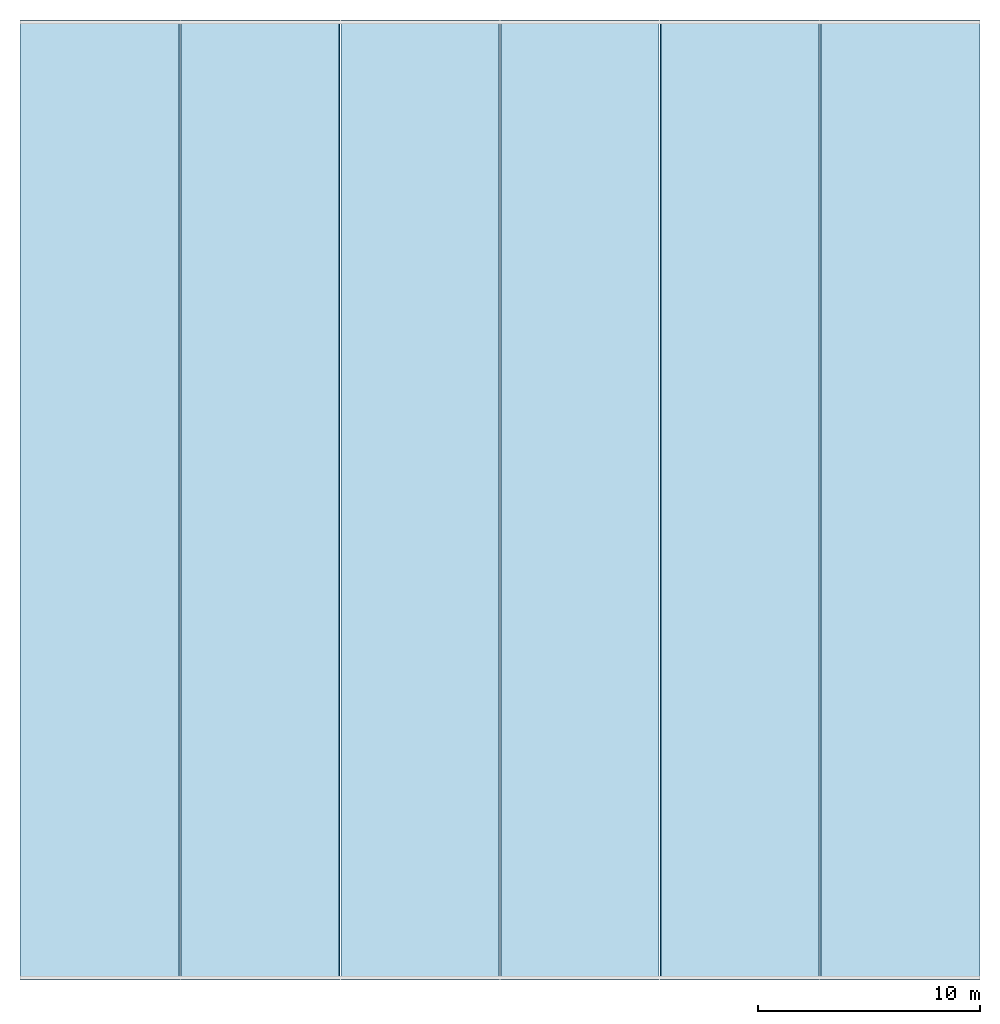
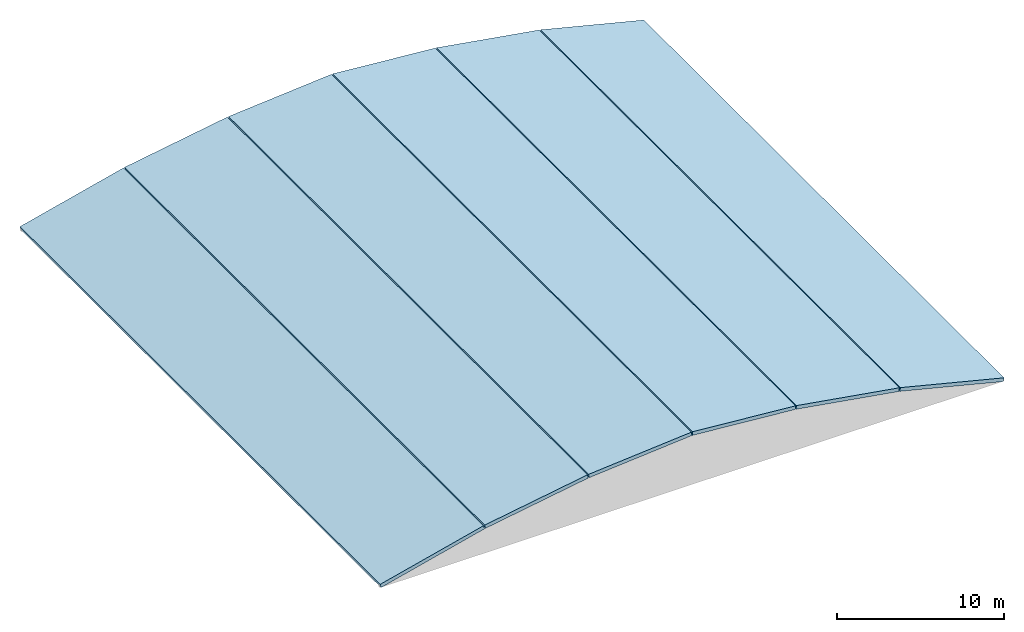
# One storey, part 1 of 2: 6 slabs.
"""IFC4 building model written with IfcOpenShell, lengths in metres."""

import ifcopenshell
import ifcopenshell.guid

model = None  # the IFC model being written
_history = None  # IfcOwnerHistory: only IFC2X3 demands one
_inside = {}  # id of a spatial element -> (the spatial element, [elements in it])
_under = {}  # id of a project, library or spatial element -> (it, [spatial elements below it])
_declared = {}  # id of a project -> (the project, [libraries it declares])
_typed = {}  # id of a type object -> (the type object, [elements of that type])
_made_of = {}  # id of a material, layer set ... -> (it, [elements and type objects made of it])


def new_model(schema):
    """Start an empty IFC model of exactly this schema.

    Asked for "IFC4X3", IfcOpenShell would pick the latest addendum, in which some entities
    have other attributes; the version numbers below select the first issue.
    IFC2X3 requires an IfcOwnerHistory on every rooted entity: one is made here for all.
    """
    global model, _history
    if schema == "IFC4X3":
        model = ifcopenshell.file(schema_version=(4, 3, 0, 0))
    else:
        model = ifcopenshell.file(schema=schema)
    _inside.clear()
    _under.clear()
    _declared.clear()
    _typed.clear()
    _made_of.clear()
    _history = None
    if model.schema == "IFC2X3":
        org = make("IfcOrganization", Name="unknown")
        user = make(
            "IfcPersonAndOrganization",
            ThePerson=make("IfcPerson", FamilyName="unknown"),
            TheOrganization=org,
        )
        app = make(
            "IfcApplication",
            ApplicationDeveloper=org,
            Version="unknown",
            ApplicationFullName="unknown",
            ApplicationIdentifier="unknown",
        )
        _history = make(
            "IfcOwnerHistory",
            OwningUser=user,
            OwningApplication=app,
            ChangeAction="ADDED",
            CreationDate=0,
        )
    return model


def make(cls, **values):
    """One entity of the class cls with the attributes given. An attribute that is None is left unset."""
    return model.create_entity(
        cls, **{name: value for name, value in values.items() if value is not None}
    )


def rooted(cls, **values):
    """An entity with a GlobalId (a new one), such as an element, a storey or a relation."""
    return make(cls, GlobalId=ifcopenshell.guid.new(), OwnerHistory=_history, **values)


def si_unit(unit_type, name, prefix=None):
    """IfcSIUnit, for example si_unit("LENGTHUNIT", "METRE", prefix="MILLI")."""
    return make("IfcSIUnit", UnitType=unit_type, Prefix=prefix, Name=name)


def assignment(units):
    """IfcUnitAssignment: the units of a project."""
    return None if units is None else make("IfcUnitAssignment", Units=units)


def point(xyz):
    """IfcCartesianPoint."""
    return None if xyz is None else make("IfcCartesianPoint", Coordinates=xyz)


def direction(xyz):
    """IfcDirection."""
    return None if xyz is None else make("IfcDirection", DirectionRatios=xyz)


def frame(location, z_axis=None, x_axis=None):
    """IfcAxis2Placement3D, a coordinate frame: its origin and axes. An axis left out is left unset."""
    return make(
        "IfcAxis2Placement3D",
        Location=point(location),
        Axis=direction(z_axis),
        RefDirection=direction(x_axis),
    )


def origin():
    """The frame at (0, 0, 0) with its axes left unset."""
    return frame((0.0, 0.0, 0.0))


def place(relative_to, where):
    """IfcLocalPlacement: puts the frame where relative to a parent placement (None: the world)."""
    return make(
        "IfcLocalPlacement", PlacementRelTo=relative_to, RelativePlacement=where
    )


def context(
    kind, dimensions, precision=None, world=None, true_north=None, identifier=None
):
    """IfcGeometricRepresentationContext, for example the 3D "Model" context."""
    return make(
        "IfcGeometricRepresentationContext",
        ContextIdentifier=identifier,
        ContextType=kind,
        CoordinateSpaceDimension=dimensions,
        Precision=precision,
        WorldCoordinateSystem=world,
        TrueNorth=true_north,
    )


def subcontext(parent, identifier, kind, view, scale=None):
    """IfcGeometricRepresentationSubContext, for example "Body" below "Model"."""
    return make(
        "IfcGeometricRepresentationSubContext",
        ContextIdentifier=identifier,
        ContextType=kind,
        ParentContext=parent,
        TargetScale=scale,
        TargetView=view,
    )


def project(units=None, contexts=None):
    """IfcProject with its units and contexts."""
    return rooted(
        "IfcProject",
        Name="project",
        RepresentationContexts=contexts,
        UnitsInContext=assignment(units),
    )


def spatial(cls, under=None, at=None, **own):
    """A site, building, storey or space (cls), placed at a placement, below another one or the project."""
    s = rooted(cls, ObjectPlacement=at, **own)
    if under is not None:
        _under.setdefault(under.id(), (under, []))[1].append(s)
    return s


def polyline(points):
    """IfcPolyline through the points."""
    return make("IfcPolyline", Points=[point(p) for p in points])


def outline(outer, holes=None, kind="AREA"):
    """IfcArbitraryClosedProfileDef: a profile drawn as a closed curve; with holes, ...WithVoids."""
    if holes is None:
        return make("IfcArbitraryClosedProfileDef", ProfileType=kind, OuterCurve=outer)
    return make(
        "IfcArbitraryProfileDefWithVoids",
        ProfileType=kind,
        OuterCurve=outer,
        InnerCurves=holes,
    )


def extrude(swept, where, along, depth):
    """IfcExtrudedAreaSolid: the profile swept, set in the frame where, extruded along a direction by depth."""
    return make(
        "IfcExtrudedAreaSolid",
        SweptArea=swept,
        Position=where,
        ExtrudedDirection=direction(along),
        Depth=depth,
    )


def shape(context_of_items, identifier, shape_type, items):
    """IfcShapeRepresentation: the items that make up one representation, for example the "Body"."""
    return make(
        "IfcShapeRepresentation",
        ContextOfItems=context_of_items,
        RepresentationIdentifier=identifier,
        RepresentationType=shape_type,
        Items=items,
    )


def material(Name=None, Category=None):
    """IfcMaterial."""
    return make("IfcMaterial", Name=Name, Category=Category)


def layer(
    of_material, thickness, ventilated=None, Name=None, Category=None, Priority=None
):
    """IfcMaterialLayer: one layer of a wall or slab, of a material (None: an air gap)."""
    return make(
        "IfcMaterialLayer",
        Material=of_material,
        LayerThickness=thickness,
        IsVentilated=ventilated,
        Name=Name,
        Category=Category,
        Priority=Priority,
    )


def layer_set(layers, Name=None):
    """IfcMaterialLayerSet."""
    return make("IfcMaterialLayerSet", MaterialLayers=layers, LayerSetName=Name)


def made_of(thing, what):
    """Note that an element or type object is made of a material, layer set ...; save() writes the relation."""
    if what is not None:
        _made_of.setdefault(what.id(), (what, []))[1].append(thing)
    return thing


def type_object(cls, material=None, **own):
    """A type object (cls), such as IfcWallType, which elements share."""
    return made_of(rooted(cls, **own), material)


def element(
    cls,
    number,
    at=None,
    inside=None,
    cuts=None,
    type_object=None,
    material=None,
    context=None,
    identifier="Body",
    shape_type=None,
    held_by="IfcProductDefinitionShape",
    body=None,
    shapes=None,
    **own,
):
    """One element of the class cls, such as IfcWall. Its Tag is "e" and its number.

    at: its placement. inside: the storey or other place that contains it. cuts: it is an
    opening in that element (IfcRelVoidsElement). A single representation is given by context,
    identifier, shape_type and body (its items); several are given by shapes. held_by: the class
    of the entity that holds the representations. save() writes the other relations.
    """
    e = rooted(cls, Tag="e%d" % number, ObjectPlacement=at, **own)
    if body is not None:
        shapes = [shape(context, identifier, shape_type, body)]
    if shapes is not None:
        e.Representation = make(held_by, Representations=shapes)
    if inside is not None:
        _inside.setdefault(inside.id(), (inside, []))[1].append(e)
    if cuts is not None:
        rooted(
            "IfcRelVoidsElement", RelatingBuildingElement=cuts, RelatedOpeningElement=e
        )
    if type_object is not None:
        _typed.setdefault(type_object.id(), (type_object, []))[1].append(e)
    return made_of(e, material)


def aggregate(whole, parts):
    """IfcRelAggregates: a whole, such as a stair, and the parts it consists of."""
    return rooted("IfcRelAggregates", RelatingObject=whole, RelatedObjects=parts)


def save(model, path):
    """Write the relations noted so far, then the file.

    IfcRelAggregates (storeys below a building ...), IfcRelContainedInSpatialStructure (elements
    in a storey), IfcRelDefinesByType, IfcRelAssociatesMaterial and IfcRelDeclares: one each for
    every whole, place, type object, material and project.
    """
    for whole, parts in _under.values():
        aggregate(whole, parts)
    for where, things in _inside.values():
        rooted(
            "IfcRelContainedInSpatialStructure",
            RelatedElements=things,
            RelatingStructure=where,
        )
    for kind, things in _typed.values():
        rooted("IfcRelDefinesByType", RelatedObjects=things, RelatingType=kind)
    for what, things in _made_of.values():
        rooted("IfcRelAssociatesMaterial", RelatedObjects=things, RelatingMaterial=what)
    for by, libraries in _declared.values():
        rooted("IfcRelDeclares", RelatingContext=by, RelatedDefinitions=libraries)
    model.write(path)


model = new_model("IFC4")

# Units and contexts
model_context = context("Model", 3, precision=1e-05, world=origin(), true_north=direction((0.0, 1.0)))
body_context = subcontext(model_context, "Body", "Model", "MODEL_VIEW")
ifc_project = project(units=[si_unit("LENGTHUNIT", "METRE"), si_unit("AREAUNIT", "SQUARE_METRE"), si_unit("VOLUMEUNIT", "CUBIC_METRE"), si_unit("PLANEANGLEUNIT", "RADIAN"), si_unit("MASSUNIT", "GRAM", prefix="KILO")], contexts=[model_context])

# Site, building, storey
site_placement = place(None, origin())
site = spatial("IfcSite", under=ifc_project, at=site_placement, CompositionType="ELEMENT")
building_placement = place(site_placement, origin())
building = spatial("IfcBuilding", under=site, at=building_placement, Name="Cendaluz Park School", CompositionType="ELEMENT")
storey_placement = place(building_placement, frame((0.0, 0.0, 73.800048828125)))
storey = spatial("IfcBuildingStorey", under=building, at=storey_placement, Name="ROOF", CompositionType="ELEMENT", Elevation=73.800048828125)

# Slabs
ifc_material = material(Name="Cross-laminated timber CLT C24", Category="wood")
ifc_layer = layer(ifc_material, 0.260009765625)
ifc_layer_set = layer_set([ifc_layer], Name="Cross-laminated timber CLT C24")
slab_type = type_object("IfcSlabType", Name="SL-RF-260-SLP", PredefinedType="ROOF", material=ifc_layer_set)
slab_1_placement = place(storey_placement, frame((64.800048828125, 14.39990234375, -1.800048828125), z_axis=(-0.242481153742, 0.0, 0.970156116344), x_axis=(0.970156116344, 0.0, 0.242481153742)))
element("IfcSlab", 1, at=slab_1_placement, inside=storey, type_object=slab_type, Name="Barrel Vault Roof Slab SL-RF-L16-F1", PredefinedType="ROOF", context=body_context, shape_type="SweptSolid", body=[
    extrude(outline(polyline([(0.0, 0.0), (7.382178098679627, 0.0), (7.382178098679627, 43.20019531249999), (0.0, 43.20019531249999), (0.0, 0.0)])), origin(), (0.0, 0.0, -1.0), 0.260009765625),
])
slab_2_placement = place(storey_placement, frame((72.0380859375, 14.39990234375, 0.005859375), z_axis=(-0.164486692427, 0.0, 0.986379302304), x_axis=(0.986379302304, 0.0, 0.164486692427)))
element("IfcSlab", 2, at=slab_2_placement, inside=storey, type_object=slab_type, Name="Barrel Vault Roof Slab SL-RF-L16-F2", PredefinedType="ROOF", context=body_context, shape_type="SweptSolid", body=[
    extrude(outline(polyline([(0.0, 0.0), (7.222397530905969, 0.0), (7.222397530905969, 43.20019531249999), (0.0, 43.20019531249999), (0.0, 0.0)])), origin(), (0.0, 0.0, -1.0), 0.260009765625),
])
for number, where, z_axis, x_axis, name in (
    (3, (79.238037109375, 14.39990234375, 1.202880859375), (-0.083531581526, 0.0, 0.996505130387), (0.996505130387, 0.0, 0.083531581526), "Barrel Vault Roof Slab SL-RF-L16-F3"),
    (4, (86.43798828125, 14.39990234375, 1.800048828125), (0.083531581526, 0.0, 0.996505130387), (0.996505130387, 0.0, -0.083531581526), "Barrel Vault Roof Slab SL-RF-L16-F4"),
):
    element("IfcSlab", number, at=place(storey_placement, frame(where, z_axis=z_axis, x_axis=x_axis)), inside=storey, type_object=slab_type, Name=name, PredefinedType="ROOF", context=body_context, shape_type="SweptSolid", body=[
        extrude(outline(polyline([(0.0, 0.0), (7.149008289332886, 0.0), (7.149008289332886, 43.2001953125), (0.0, 43.2001953125), (0.0, 0.0)])), origin(), (0.0, 0.0, -1.0), 0.260009765625),
    ])
slab_3_placement = place(storey_placement, frame((93.637939453125, 14.39990234375, 1.19384765625), z_axis=(0.164486692427, 0.0, 0.986379302304), x_axis=(0.986379302304, 0.0, -0.164486692427)))
element("IfcSlab", 5, at=slab_3_placement, inside=storey, type_object=slab_type, Name="Barrel Vault Roof Slab SL-RF-L16-F5", PredefinedType="ROOF", context=body_context, shape_type="SweptSolid", body=[
    extrude(outline(polyline([(0.0, 0.0), (7.222397530905969, 0.0), (7.222397530905969, 43.20019531249999), (0.0, 43.20019531249999), (0.0, 0.0)])), origin(), (0.0, 0.0, -1.0), 0.260009765625),
])
slab_4_placement = place(storey_placement, frame((100.837890625, 14.39990234375, -0.010009765625), z_axis=(0.242473374064, 0.0, 0.970158060766), x_axis=(0.970158060766, 0.0, -0.242473374064)))
element("IfcSlab", 6, at=slab_4_placement, inside=storey, type_object=slab_type, Name="Barrel Vault Roof Slab SL-RF-L16-F6", PredefinedType="ROOF", context=body_context, shape_type="SweptSolid", body=[
    extrude(outline(polyline([(0.0, 0.0), (7.382414953437579, 0.0), (7.382414953437579, 43.20019531250001), (0.0, 43.20019531250001), (0.0, 0.0)])), origin(), (0.0, 0.0, -1.0), 0.260009765625),
])

save(model, "model.ifc")
